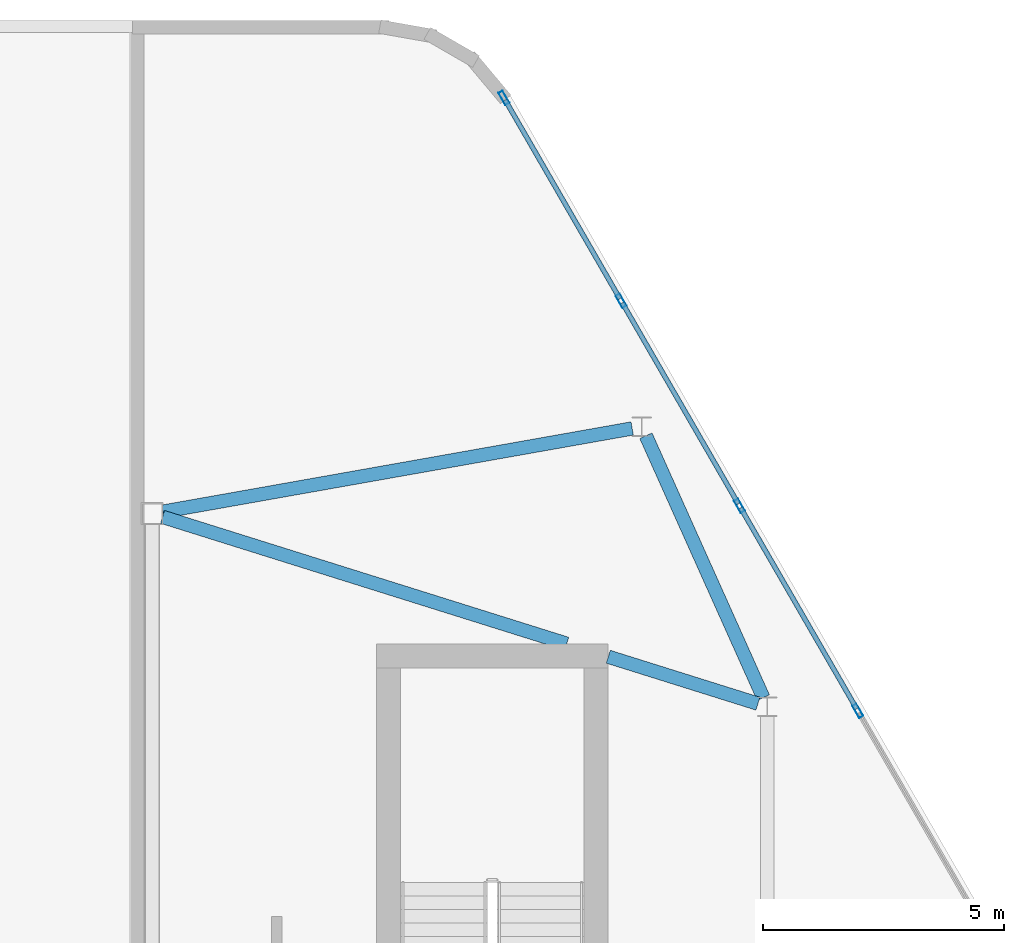
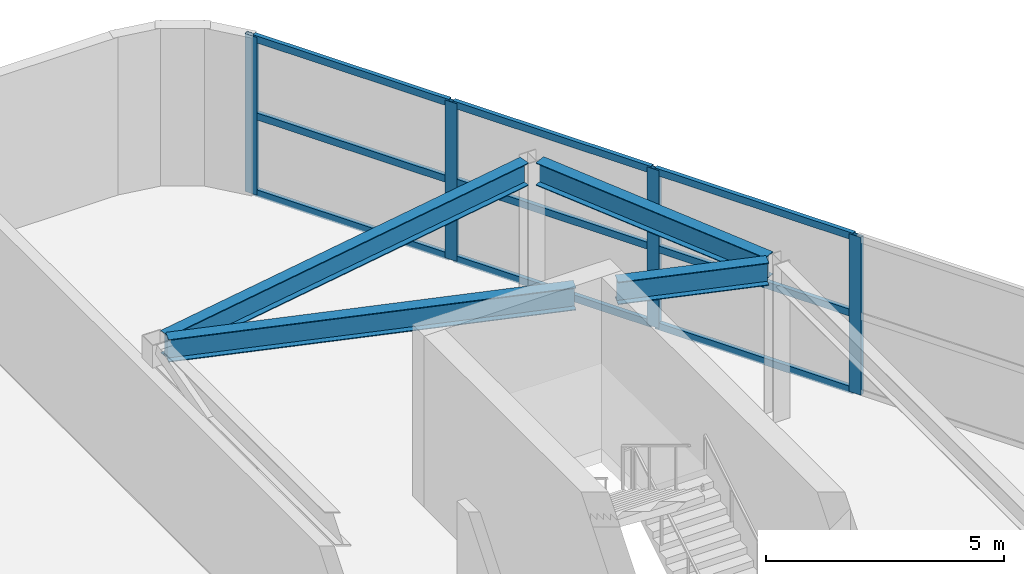
# One storey, part 10 of 14: 13 members, 4 beams, 1 element without a shape of its own.
"""IFC4 building model written with IfcOpenShell, lengths in metres."""

from ifc_helpers import new_model, si_unit, direction, frame, origin, origin_2d, place, context, subcontext, project, spatial, hollow_rectangle, i_section, extrude, material, material_profile, profile_set, type_object, element, aggregate, save


model = new_model("IFC4")

# Units and contexts
model_context = context("Model", 3, precision=1e-05, world=origin(), true_north=direction((0.0, 1.0)))
body_context = subcontext(model_context, "Body", "Model", "MODEL_VIEW")
ifc_project = project(units=[si_unit("LENGTHUNIT", "METRE"), si_unit("AREAUNIT", "SQUARE_METRE"), si_unit("VOLUMEUNIT", "CUBIC_METRE"), si_unit("PLANEANGLEUNIT", "RADIAN"), si_unit("MASSUNIT", "GRAM", prefix="KILO")], contexts=[model_context])

# Site, building, storey
site_placement = place(None, origin())
site = spatial("IfcSite", under=ifc_project, at=site_placement, CompositionType="ELEMENT")
building_placement = place(site_placement, origin())
building = spatial("IfcBuilding", under=site, at=building_placement, Name="Zuhravey Tower", CompositionType="ELEMENT")
storey_placement = place(building_placement, frame((0.0, 0.0, 379.0)))
storey = spatial("IfcBuildingStorey", under=building, at=storey_placement, Name="L96", CompositionType="ELEMENT", Elevation=379.0)

# Curtain wall, members
ifc_material_1 = material(Name="Thermally broken anodised aluminium", Category="aluminium")
curtain_wall_type = type_object("IfcCurtainWallType", Name="Split-Top Crown Screened Curtain Wall CW6", PredefinedType="NOTDEFINED", material=ifc_material_1)
curtain_wall_placement = place(storey_placement, origin())
curtain_wall = element("IfcCurtainWall", 1, at=curtain_wall_placement, inside=storey, type_object=curtain_wall_type, Name="L96 CW6 CW6-L96-EAST-04", PredefinedType="NOTDEFINED")
ifc_material_2 = material(Name="Anodised aluminium", Category="aluminium")
ifc_material_profile_1 = material_profile(ifc_material_2, hollow_rectangle(XDim=0.10009765625, YDim=0.2900390625, WallThickness=0.006103515625, at=origin_2d()), Name="ALU-RHS-100x290x6")
ifc_profile_set_1 = profile_set([ifc_material_profile_1], Name="Anodised aluminium")
member_type_1 = type_object("IfcMemberType", Name="Heavy Tall-Storey Mullion 100x220", PredefinedType="MULLION", material=ifc_profile_set_1)
member_1_placement = place(storey_placement, frame((50.741455078125, 54.615234375, 0.0), z_axis=(0.0, 0.0, 1.0), x_axis=(0.866027063754, 0.499997124838, 0.0)))
member_1 = element("IfcMember", 2, at=member_1_placement, type_object=member_type_1, Name="CW6 mullion 1", PredefinedType="MULLION", context=body_context, shape_type="SweptSolid", body=[
    extrude(hollow_rectangle(XDim=0.10009765625, YDim=0.2900390625, WallThickness=0.006103515625, at=origin_2d()), origin(), (0.0, 0.0, 1.0), 4.050048828125),
])
member_2_placement = place(storey_placement, frame((53.16943359375, 50.409912109375, 0.0), z_axis=(0.0, 0.0, 1.0), x_axis=(0.866027063754, 0.499997124838, 0.0)))
member_2 = element("IfcMember", 3, at=member_2_placement, type_object=member_type_1, Name="CW6 mullion 2", PredefinedType="MULLION", context=body_context, shape_type="SweptSolid", body=[
    extrude(hollow_rectangle(XDim=0.10009765625, YDim=0.2900390625, WallThickness=0.006103515625, at=origin_2d()), origin(), (0.0, 0.0, 1.0), 4.050048828125),
])
member_3_placement = place(storey_placement, frame((55.622314453125, 46.161376953125, 0.0), z_axis=(0.0, 0.0, 1.0), x_axis=(0.866027063754, 0.499997124838, 0.0)))
member_3 = element("IfcMember", 4, at=member_3_placement, type_object=member_type_1, Name="CW6 mullion 3", PredefinedType="MULLION", context=body_context, shape_type="SweptSolid", body=[
    extrude(hollow_rectangle(XDim=0.10009765625, YDim=0.2900390625, WallThickness=0.006103515625, at=origin_2d()), origin(), (0.0, 0.0, 1.0), 4.050048828125),
])
member_4_placement = place(storey_placement, frame((58.0751953125, 41.912841796875, 0.0), z_axis=(0.0, 0.0, 1.0), x_axis=(0.866027063754, 0.499997124838, 0.0)))
member_4 = element("IfcMember", 5, at=member_4_placement, type_object=member_type_1, Name="CW6 mullion 4", PredefinedType="MULLION", context=body_context, shape_type="SweptSolid", body=[
    extrude(hollow_rectangle(XDim=0.10009765625, YDim=0.2900390625, WallThickness=0.006103515625, at=origin_2d()), origin(), (0.0, 0.0, 1.0), 4.050048828125),
])

# Beams
ifc_material_3 = material(Name="Steel SM355", Category="steel")
ifc_material_profile_2 = material_profile(ifc_material_3, i_section(OverallWidth=0.280029296875, OverallDepth=0.580078125, WebThickness=0.011962890625, FlangeThickness=0.01904296875, at=origin_2d()), Name="H-580x280x12x19")
ifc_profile_set_2 = profile_set([ifc_material_profile_2], Name="Steel SM355")
beam_type = type_object("IfcBeamType", Name="Perimeter Ring Beam H580x280", PredefinedType="BEAM", material=ifc_profile_set_2)
beam_1_placement = place(storey_placement, frame((56.116455078125, 42.18603515625, 3.760009765625), z_axis=(-0.409053547057, 0.912510381113, 0.0), x_axis=(-0.912510381113, -0.409053547057, 0.0)))
element("IfcBeam", 6, at=beam_1_placement, inside=storey, type_object=beam_type, Name="L96 PB4 BM-L96-ECR-1-3", PredefinedType="BEAM", context=body_context, shape_type="SweptSolid", body=[
    extrude(i_section(OverallWidth=0.280029296875, OverallDepth=0.580078125, WebThickness=0.011962890625, FlangeThickness=0.01904296875, at=origin_2d()), origin(), (0.0, 0.0, 1.0), 5.9482421875),
])
beam_2_placement = place(storey_placement, frame((53.399169921875, 47.764404296875, 3.760009765625), z_axis=(-0.984637117377, -0.174613135483, 0.0), x_axis=(0.174613135483, -0.984637117377, 0.0)))
element("IfcBeam", 7, at=beam_2_placement, inside=storey, type_object=beam_type, Name="L96 PB4 BM-L96-ECR-3-6", PredefinedType="BEAM", context=body_context, shape_type="SweptSolid", body=[
    extrude(i_section(OverallWidth=0.280029296875, OverallDepth=0.580078125, WebThickness=0.011962890625, FlangeThickness=0.01904296875, at=origin_2d()), origin(), (0.0, 0.0, 1.0), 9.875244140625),
])
beam_3_placement = place(storey_placement, frame((56.00537109375, 42.06103515625, 3.760009765625), z_axis=(-0.95415195588, 0.299322643799, 0.0), x_axis=(-0.299322643799, -0.95415195588, 0.0)))
element("IfcBeam", 8, at=beam_3_placement, inside=storey, type_object=beam_type, Name="L96 PB4 BM-L96-ECR-1-6 (1)", PredefinedType="BEAM", context=body_context, shape_type="SweptSolid", body=[
    extrude(i_section(OverallWidth=0.280029296875, OverallDepth=0.580078125, WebThickness=0.011962890625, FlangeThickness=0.01904296875, at=origin_2d()), origin(), (0.0, 0.0, 1.0), 3.250244140625),
])
beam_4_placement = place(storey_placement, frame((52.04345703125, 43.303955078125, 3.760009765625), z_axis=(-0.954146799125, 0.299339081512, 0.0), x_axis=(-0.299339081512, -0.954146799125, 0.0)))
element("IfcBeam", 9, at=beam_4_placement, inside=storey, type_object=beam_type, Name="L96 PB4 BM-L96-ECR-1-6 (2)", PredefinedType="BEAM", context=body_context, shape_type="SweptSolid", body=[
    extrude(i_section(OverallWidth=0.280029296875, OverallDepth=0.580078125, WebThickness=0.011962890625, FlangeThickness=0.01904296875, at=origin_2d()), origin(), (0.0, 0.0, 1.0), 8.777587890625),
])

# Member
ifc_material_profile_3 = material_profile(ifc_material_2, hollow_rectangle(XDim=0.10009765625, YDim=0.179931640625, WallThickness=0.006103515625, at=origin_2d()), Name="ALU-RHS-100x180x6")
ifc_profile_set_3 = profile_set([ifc_material_profile_3], Name="Anodised aluminium")
member_type_2 = type_object("IfcMemberType", Name="Tall-Storey Transom 100x180", PredefinedType="USERDEFINED", material=ifc_profile_set_3)
member_5_placement = place(storey_placement, frame((50.7666015625, 54.57177734375, 0.050048828125), z_axis=(0.499965384433, -0.866045388169, 0.0), x_axis=(0.866045388169, 0.499965384433, 0.0)))
member_5 = element("IfcMember", 10, at=member_5_placement, type_object=member_type_2, Name="CW6 transom 1.1", ObjectType="TRANSOM", PredefinedType="USERDEFINED", context=body_context, shape_type="SweptSolid", body=[
    extrude(hollow_rectangle(XDim=0.10009765625, YDim=0.179931640625, WallThickness=0.006103515625, at=origin_2d()), origin(), (0.0, 0.0, 1.0), 4.755615234375),
])

member_6_placement = place(storey_placement, frame((50.7666015625, 54.57177734375, 2.02490234375), z_axis=(0.499965384433, -0.866045388169, 0.0), x_axis=(0.866045388169, 0.499965384433, 0.0)))
member_6 = element("IfcMember", 11, at=member_6_placement, type_object=member_type_2, Name="CW6 transom 1.2", ObjectType="TRANSOM", PredefinedType="USERDEFINED", context=body_context, shape_type="SweptSolid", body=[
    extrude(hollow_rectangle(XDim=0.10009765625, YDim=0.179931640625, WallThickness=0.006103515625, at=origin_2d()), origin(), (0.0, 0.0, 1.0), 4.755615234375),
])

member_7_placement = place(storey_placement, frame((50.7666015625, 54.57177734375, 4.0), z_axis=(0.499965384433, -0.866045388169, 0.0), x_axis=(0.866045388169, 0.499965384433, 0.0)))
member_7 = element("IfcMember", 12, at=member_7_placement, type_object=member_type_2, Name="CW6 transom 1.3", ObjectType="TRANSOM", PredefinedType="USERDEFINED", context=body_context, shape_type="SweptSolid", body=[
    extrude(hollow_rectangle(XDim=0.10009765625, YDim=0.179931640625, WallThickness=0.006103515625, at=origin_2d()), origin(), (0.0, 0.0, 1.0), 4.755615234375),
])

member_8_placement = place(storey_placement, frame((53.1943359375, 50.36669921875, 0.050048828125), z_axis=(0.500012672123, -0.866018087407, 0.0), x_axis=(0.866018087407, 0.500012672123, 0.0)))
member_8 = element("IfcMember", 13, at=member_8_placement, type_object=member_type_2, Name="CW6 transom 2.1", ObjectType="TRANSOM", PredefinedType="USERDEFINED", context=body_context, shape_type="SweptSolid", body=[
    extrude(hollow_rectangle(XDim=0.10009765625, YDim=0.179931640625, WallThickness=0.006103515625, at=origin_2d()), origin(), (0.0, 0.0, 1.0), 4.80615234375),
])

member_9_placement = place(storey_placement, frame((53.1943359375, 50.36669921875, 2.02490234375), z_axis=(0.500012672123, -0.866018087407, 0.0), x_axis=(0.866018087407, 0.500012672123, 0.0)))
member_9 = element("IfcMember", 14, at=member_9_placement, type_object=member_type_2, Name="CW6 transom 2.2", ObjectType="TRANSOM", PredefinedType="USERDEFINED", context=body_context, shape_type="SweptSolid", body=[
    extrude(hollow_rectangle(XDim=0.10009765625, YDim=0.179931640625, WallThickness=0.006103515625, at=origin_2d()), origin(), (0.0, 0.0, 1.0), 4.80615234375),
])

member_10_placement = place(storey_placement, frame((53.1943359375, 50.36669921875, 4.0), z_axis=(0.500012672123, -0.866018087407, 0.0), x_axis=(0.866018087407, 0.500012672123, 0.0)))
member_10 = element("IfcMember", 15, at=member_10_placement, type_object=member_type_2, Name="CW6 transom 2.3", ObjectType="TRANSOM", PredefinedType="USERDEFINED", context=body_context, shape_type="SweptSolid", body=[
    extrude(hollow_rectangle(XDim=0.10009765625, YDim=0.179931640625, WallThickness=0.006103515625, at=origin_2d()), origin(), (0.0, 0.0, 1.0), 4.80615234375),
])

member_11_placement = place(storey_placement, frame((55.647216796875, 46.117919921875, 0.050048828125), z_axis=(0.50003466983, -0.866005386223, 0.0), x_axis=(0.866005386223, 0.50003466983, 0.0)))
member_11 = element("IfcMember", 16, at=member_11_placement, type_object=member_type_2, Name="CW6 transom 3.1", ObjectType="TRANSOM", PredefinedType="USERDEFINED", context=body_context, shape_type="SweptSolid", body=[
    extrude(hollow_rectangle(XDim=0.10009765625, YDim=0.179931640625, WallThickness=0.006103515625, at=origin_2d()), origin(), (0.0, 0.0, 1.0), 4.805908203125),
])

member_12_placement = place(storey_placement, frame((55.647216796875, 46.117919921875, 2.02490234375), z_axis=(0.50003466983, -0.866005386223, 0.0), x_axis=(0.866005386223, 0.50003466983, 0.0)))
member_12 = element("IfcMember", 17, at=member_12_placement, type_object=member_type_2, Name="CW6 transom 3.2", ObjectType="TRANSOM", PredefinedType="USERDEFINED", context=body_context, shape_type="SweptSolid", body=[
    extrude(hollow_rectangle(XDim=0.10009765625, YDim=0.179931640625, WallThickness=0.006103515625, at=origin_2d()), origin(), (0.0, 0.0, 1.0), 4.805908203125),
])

member_13_placement = place(storey_placement, frame((55.647216796875, 46.117919921875, 4.0), z_axis=(0.50003466983, -0.866005386223, 0.0), x_axis=(0.866005386223, 0.50003466983, 0.0)))
member_13 = element("IfcMember", 18, at=member_13_placement, type_object=member_type_2, Name="CW6 transom 3.3", ObjectType="TRANSOM", PredefinedType="USERDEFINED", context=body_context, shape_type="SweptSolid", body=[
    extrude(hollow_rectangle(XDim=0.10009765625, YDim=0.179931640625, WallThickness=0.006103515625, at=origin_2d()), origin(), (0.0, 0.0, 1.0), 4.805908203125),
])

aggregate(curtain_wall, [member_1, member_2, member_3, member_4, member_5, member_6, member_7, member_8, member_9, member_10, member_11, member_12, member_13])

save(model, "model.ifc")
